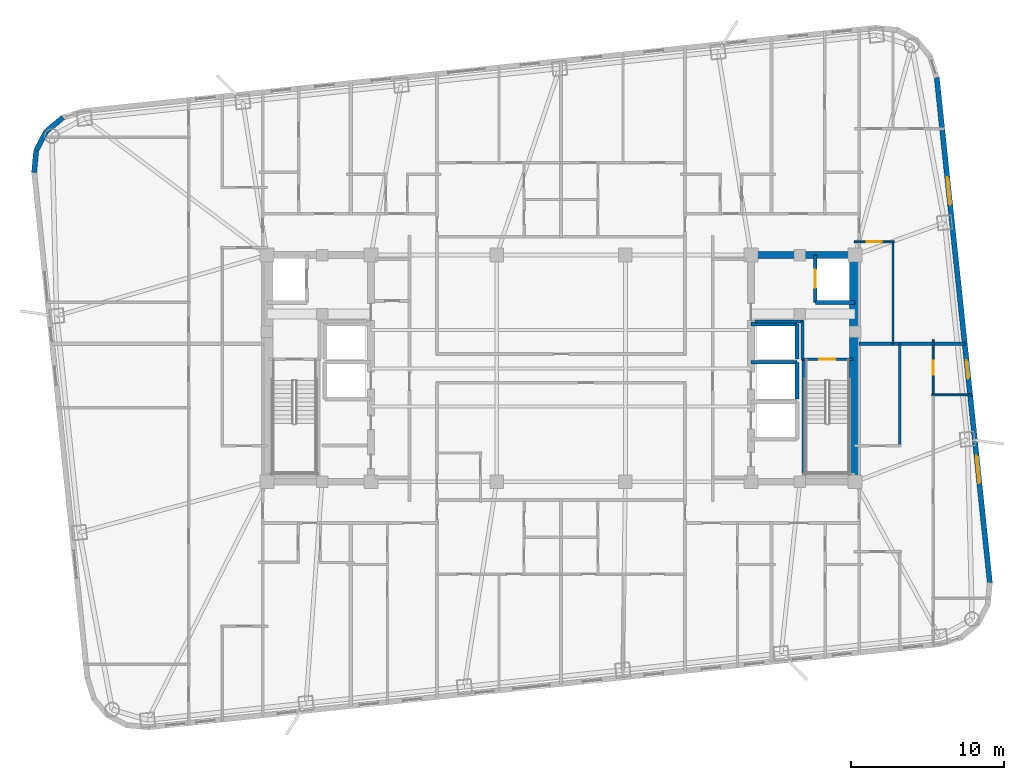
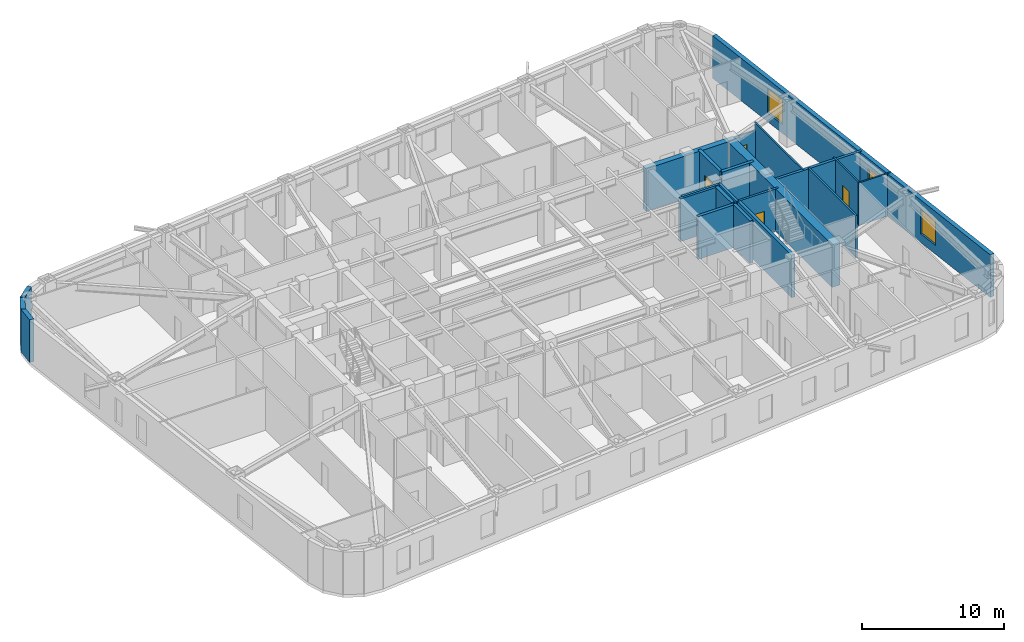
# One storey, part 7 of 12: 22 walls, 4 doors, 3 windows, 7 openings.
"""IFC4 building model written with IfcOpenShell, lengths in metres."""

from ifc_helpers import new_model, si_unit, direction, frame, frame_2d, origin, place, context, subcontext, project, spatial, rectangle, extrude, material, layer, layer_set, type_object, element, fill, save


model = new_model("IFC4")

# Units and contexts
model_context = context("Model", 3, precision=1e-05, world=origin(), true_north=direction((0.0, 1.0)))
body_context = subcontext(model_context, "Body", "Model", "MODEL_VIEW")
ifc_project = project(units=[si_unit("LENGTHUNIT", "METRE"), si_unit("AREAUNIT", "SQUARE_METRE"), si_unit("VOLUMEUNIT", "CUBIC_METRE"), si_unit("PLANEANGLEUNIT", "RADIAN"), si_unit("MASSUNIT", "GRAM", prefix="KILO")], contexts=[model_context])

# Site, building, storey
site_placement = place(None, origin())
site = spatial("IfcSite", under=ifc_project, at=site_placement, CompositionType="ELEMENT")
building_placement = place(site_placement, origin())
building = spatial("IfcBuilding", under=site, at=building_placement, Name="Voryun Gate Residences", CompositionType="ELEMENT")
storey_placement = place(building_placement, frame((0.0, 0.0, 167.699951171875)))
storey = spatial("IfcBuildingStorey", under=building, at=storey_placement, Name="L41", CompositionType="ELEMENT", Elevation=167.699951171875)

# Walls
ifc_material_1 = material(Name="Concrete C50/60", Category="concrete")
ifc_layer_1 = layer(ifc_material_1, 0.449951171875, Name="CW_CORE_450")
ifc_layer_set_1 = layer_set([ifc_layer_1], Name="Concrete C50/60")
wall_type_1 = type_object("IfcWallType", Name="CW_CORE_450", PredefinedType="SHEAR", material=ifc_layer_set_1)
wall_1_placement = place(storey_placement, frame((12.175048828125, 7.39990234375, 0.0), z_axis=(0.0, 0.0, 1.0), x_axis=(1.0, 0.0, 0.0)))
element("IfcWall", 1, at=wall_1_placement, inside=storey, type_object=wall_type_1, Name="L41 Core shear wall CW-L41-EN", PredefinedType="SHEAR", context=body_context, shape_type="SweptSolid", body=[
    extrude(rectangle(XDim=7.25, YDim=0.449951171875, at=frame_2d((3.625, 0.0))), origin(), (0.0, 0.0, 1.0), 3.650146484375),
])
ifc_material_2 = material(Name="Concrete C60/75", Category="concrete")
ifc_layer_2 = layer(ifc_material_2, 0.64990234375, Name="CW_CORE_650")
ifc_layer_set_2 = layer_set([ifc_layer_2], Name="Concrete C60/75")
wall_type_2 = type_object("IfcWallType", Name="CW_CORE_650", PredefinedType="SHEAR", material=ifc_layer_set_2)
wall_2_placement = place(storey_placement, frame((19.14501953125, -7.39990234375, 0.0), z_axis=(0.0, 0.0, 1.0), x_axis=(0.0, 1.0, 0.0)))
element("IfcWall", 2, at=wall_2_placement, inside=storey, type_object=wall_type_2, Name="L41 Core shear wall CW-L41-EE", PredefinedType="SHEAR", context=body_context, shape_type="SweptSolid", body=[
    extrude(rectangle(XDim=14.7998046875, YDim=0.64990234375, at=frame_2d((7.39990234375, 0.0))), origin(), (0.0, 0.0, 1.0), 3.650146484375),
])

# Wall, opening, door
ifc_material_3 = material(Name="Gypsum acoustic fireboard")
ifc_layer_3 = layer(ifc_material_3, 0.179931640625, Name="W_CORR_RATED_180")
ifc_layer_set_3 = layer_set([ifc_layer_3], Name="Gypsum acoustic fireboard")
wall_type_3 = type_object("IfcWallType", Name="W_CORR_RATED_180", PredefinedType="PARTITIONING", material=ifc_layer_set_3)
wall_3_placement = place(storey_placement, frame((15.699951171875, 0.60009765625, 0.0), z_axis=(0.0, 0.0, 1.0), x_axis=(1.0, 0.0, 0.0)))
wall_3 = element("IfcWall", 3, at=wall_3_placement, inside=storey, type_object=wall_type_3, Name="Partition wall WP-L41-STV-E", PredefinedType="PARTITIONING", context=body_context, shape_type="SweptSolid", body=[
    extrude(rectangle(XDim=3.360107421875, YDim=0.179931640625, at=frame_2d((1.68017578125, 0.0))), origin(), (0.0, 0.0, 1.0), 3.650146484375),
])
opening_1_placement = place(wall_3_placement, frame((1.155029296875, 0.0, 0.0)))
opening_1 = element("IfcOpeningElement", 4, at=opening_1_placement, cuts=wall_3, Name="Opening D-FD60-1", PredefinedType="OPENING", context=body_context, shape_type="SweptSolid", body=[
    extrude(rectangle(XDim=1.050048828125, YDim=2.050048828125, at=frame_2d((0.52490234375, 1.02490234375))), frame((0.0, 0.099853515625, 0.0), z_axis=(0.0, -1.0, 0.0), x_axis=(1.0, 0.0, 0.0)), (0.0, 0.0, 1.0), 0.199951171875),
])
ifc_material_4 = material(Name="Painted steel fire door", Category="steel")
door_type_1 = type_object("IfcDoorType", Name="DR_FD60_STAIR_1050", OperationType="NOTDEFINED", PredefinedType="DOOR", material=ifc_material_4)
door_1_placement = place(opening_1_placement, origin())
door_1 = element("IfcDoor", 5, at=door_1_placement, inside=storey, type_object=door_type_1, Name="Door DR-L41-ST-E", OperationType="SINGLE_SWING_RIGHT", OverallHeight=2.050048828125, OverallWidth=1.050048828125, PredefinedType="DOOR", context=body_context, shape_type="SweptSolid", body=[
    extrude(rectangle(XDim=1.050048828125, YDim=2.050048828125, at=frame_2d((0.52490234375, 1.02490234375))), frame((0.0, 0.02490234375, 0.0), z_axis=(0.0, -1.0, 0.0), x_axis=(1.0, 0.0, 0.0)), (0.0, 0.0, 1.0), 0.050048828125),
])
fill(opening_1, door_1)

# Walls
ifc_material_5 = material(Name="Charcoal terracotta masonry", Category="masonry")
ifc_layer_4 = layer(ifc_material_5, 0.340087890625, Name="W_EXT_TERRACOTTA_340")
ifc_layer_set_4 = layer_set([ifc_layer_4], Name="Charcoal terracotta masonry")
wall_type_4 = type_object("IfcWallType", Name="W_EXT_TERRACOTTA_340", PredefinedType="ELEMENTEDWALL", material=ifc_layer_set_4)
wall_4_placement = place(storey_placement, frame((-34.401123046875, 12.795166015625, 0.0), z_axis=(0.0, 0.0, 1.0), x_axis=(0.091534682358, 0.995801888894, 0.0)))
element("IfcWall", 6, at=wall_4_placement, inside=storey, type_object=wall_type_4, Name="Exterior wall WEXT-L41-07", PredefinedType="ELEMENTEDWALL", context=body_context, shape_type="SweptSolid", body=[
    extrude(rectangle(XDim=1.432373046875, YDim=0.340087890625, at=frame_2d((0.71630859375, 0.0))), origin(), (0.0, 0.0, 1.0), 3.650146484375),
])
for number, where, z_axis, x_axis, name in (
    (7, (-34.27001953125, 14.221435546875, 0.0), (0.0, 0.0, 1.0), (0.465682431293, 0.884951904447, 0.0), "Exterior wall WEXT-L41-08"),
    (8, (-33.611083984375, 15.4736328125, 0.0), (0.0, 0.0, 1.0), (0.768843196093, 0.639437361921, 0.0), "Exterior wall WEXT-L41-09"),
):
    element("IfcWall", number, at=place(storey_placement, frame(where, z_axis=z_axis, x_axis=x_axis)), inside=storey, type_object=wall_type_4, Name=name, PredefinedType="ELEMENTEDWALL", context=body_context, shape_type="SweptSolid", body=[
        extrude(rectangle(XDim=1.4150390625, YDim=0.340087890625, at=frame_2d((0.70751953125, 0.0))), origin(), (0.0, 0.0, 1.0), 3.650146484375),
    ])

# Wall, openings, windows
wall_5_placement = place(storey_placement, frame((24.5341796875, 18.989501953125, 0.0), z_axis=(0.0, 0.0, 1.0), x_axis=(0.104534959766, -0.994521212537, 0.0)))
wall_5 = element("IfcWall", 9, at=wall_5_placement, inside=storey, type_object=wall_type_4, Name="Exterior wall WEXT-L41-16", PredefinedType="ELEMENTEDWALL", context=body_context, shape_type="SweptSolid", body=[
    extrude(rectangle(XDim=33.166259765625, YDim=0.340087890625, at=frame_2d((16.5830078125, 0.0))), origin(), (0.0, 0.0, 1.0), 3.650146484375),
])
opening_2_placement = place(wall_5_placement, frame((6.54150390625, 0.0, 0.75)))
opening_2 = element("IfcOpeningElement", 10, at=opening_2_placement, cuts=wall_5, Name="Opening WN1", PredefinedType="OPENING", context=body_context, shape_type="SweptSolid", body=[
    extrude(rectangle(XDim=1.800048828125, YDim=2.10009765625, at=frame_2d((0.89990234375, 1.050048828125))), frame((0.0, 0.179931640625, 0.0), z_axis=(0.0, -1.0, 0.0), x_axis=(1.0, 0.0, 0.0)), (0.0, 0.0, 1.0), 0.360107421875),
])
opening_3_placement = place(wall_5_placement, frame((24.824951171875, 0.0, 0.75)))
opening_3 = element("IfcOpeningElement", 11, at=opening_3_placement, cuts=wall_5, Name="Opening WN1", PredefinedType="OPENING", context=body_context, shape_type="SweptSolid", body=[
    extrude(rectangle(XDim=1.800048828125, YDim=2.10009765625, at=frame_2d((0.89990234375, 1.050048828125))), frame((0.0, 0.179931640625, 0.0), z_axis=(0.0, -1.0, 0.0), x_axis=(1.0, 0.0, 0.0)), (0.0, 0.0, 1.0), 0.360107421875),
])
opening_4_placement = place(wall_5_placement, frame((18.557373046875, 0.0, 0.75)))
opening_4 = element("IfcOpeningElement", 12, at=opening_4_placement, cuts=wall_5, Name="Opening WN6", PredefinedType="OPENING", context=body_context, shape_type="SweptSolid", body=[
    extrude(rectangle(XDim=1.199951171875, YDim=2.050048828125, at=frame_2d((0.60009765625, 1.02490234375))), frame((0.0, 0.179931640625, 0.0), z_axis=(0.0, -1.0, 0.0), x_axis=(1.0, 0.0, 0.0)), (0.0, 0.0, 1.0), 0.360107421875),
])
ifc_material_6 = material(Name="Laminated low-E glass", Category="glass")
window_type_1 = type_object("IfcWindowType", Name="WN_POD_SLOT_1200", PartitioningType="SINGLE_PANEL", PredefinedType="WINDOW", material=ifc_material_6)
window_1_placement = place(opening_4_placement, origin())
window_1 = element("IfcWindow", 13, at=window_1_placement, inside=storey, type_object=window_type_1, Name="Window WN-L41-DWFIX-27", OverallHeight=2.050048828125, OverallWidth=1.199951171875, PartitioningType="SINGLE_PANEL", PredefinedType="WINDOW", context=body_context, shape_type="SweptSolid", body=[
    extrude(rectangle(XDim=1.199951171875, YDim=2.050048828125, at=frame_2d((0.60009765625, 1.02490234375))), frame((0.0, 0.030029296875, 0.0), z_axis=(0.0, -1.0, 0.0), x_axis=(1.0, 0.0, 0.0)), (0.0, 0.0, 1.0), 0.06005859375),
])
fill(opening_4, window_1)
ifc_material_7 = material(Name="Laminated low-E glass", Category="glass")
window_type_2 = type_object("IfcWindowType", Name="WN_RES_PUNCH_1800", PartitioningType="SINGLE_PANEL", PredefinedType="WINDOW", material=ifc_material_7)
window_2_placement = place(opening_2_placement, origin())
window_2 = element("IfcWindow", 14, at=window_2_placement, inside=storey, type_object=window_type_2, Name="Window WN-WEXT-L41-16-01", OverallHeight=2.10009765625, OverallWidth=1.800048828125, PartitioningType="SINGLE_PANEL", PredefinedType="WINDOW", context=body_context, shape_type="SweptSolid", body=[
    extrude(rectangle(XDim=1.800048828125, YDim=2.10009765625, at=frame_2d((0.89990234375, 1.050048828125))), frame((0.0, 0.030029296875, 0.0), z_axis=(0.0, -1.0, 0.0), x_axis=(1.0, 0.0, 0.0)), (0.0, 0.0, 1.0), 0.06005859375),
])
fill(opening_2, window_2)
window_3_placement = place(opening_3_placement, origin())
window_3 = element("IfcWindow", 15, at=window_3_placement, inside=storey, type_object=window_type_2, Name="Window WN-WEXT-L41-16-02", OverallHeight=2.10009765625, OverallWidth=1.800048828125, PartitioningType="SINGLE_PANEL", PredefinedType="WINDOW", context=body_context, shape_type="SweptSolid", body=[
    extrude(rectangle(XDim=1.800048828125, YDim=2.10009765625, at=frame_2d((0.89990234375, 1.050048828125))), frame((0.0, 0.030029296875, 0.0), z_axis=(0.0, -1.0, 0.0), x_axis=(1.0, 0.0, 0.0)), (0.0, 0.0, 1.0), 0.06005859375),
])
fill(opening_3, window_3)

# Walls
ifc_material_8 = material(Name="Concrete C40/50", Category="concrete")
ifc_layer_5 = layer(ifc_material_8, 0.199951171875, Name="W_FF_LOBBY_200")
ifc_layer_set_5 = layer_set([ifc_layer_5], Name="Concrete C40/50")
wall_type_5 = type_object("IfcWallType", Name="W_FF_LOBBY_200", PredefinedType="PARTITIONING", material=ifc_layer_set_5)
wall_6_placement = place(storey_placement, frame((15.760009765625, 0.580078125, 0.0), z_axis=(0.0, 0.0, 1.0), x_axis=(0.0, 1.0, 0.0)))
element("IfcWall", 16, at=wall_6_placement, inside=storey, type_object=wall_type_5, Name="Partition wall WP-L41-FFP0-E", PredefinedType="PARTITIONING", context=body_context, shape_type="SweptSolid", body=[
    extrude(rectangle(XDim=2.52001953125, YDim=0.199951171875, at=frame_2d((1.260009765625, 0.0))), origin(), (0.0, 0.0, 1.0), 3.650146484375),
])
wall_7_placement = place(storey_placement, frame((12.659912109375, 3.06005859375, 0.0), z_axis=(0.0, 0.0, 1.0), x_axis=(1.0, 0.0, 0.0)))
element("IfcWall", 17, at=wall_7_placement, inside=storey, type_object=wall_type_5, Name="Partition wall WP-L41-FFPS-E", PredefinedType="PARTITIONING", context=body_context, shape_type="SweptSolid", body=[
    extrude(rectangle(XDim=3.16015625, YDim=0.199951171875, at=frame_2d((1.580078125, 0.0))), origin(), (0.0, 0.0, 1.0), 3.650146484375),
])
ifc_material_9 = material(Name="Concrete C40/50", Category="concrete")
ifc_layer_6 = layer(ifc_material_9, 0.219970703125, Name="W_PARTY_ACOUSTIC_220")
ifc_layer_set_6 = layer_set([ifc_layer_6], Name="Concrete C40/50")
wall_type_6 = type_object("IfcWallType", Name="W_PARTY_ACOUSTIC_220", PredefinedType="PARTITIONING", material=ifc_layer_set_6)
wall_8_placement = place(storey_placement, frame((19.469970703125, 1.60009765625, 0.0), z_axis=(0.0, 0.0, 1.0), x_axis=(1.0, 0.0, 0.0)))
element("IfcWall", 18, at=wall_8_placement, inside=storey, type_object=wall_type_6, Name="Partition wall WP-L41-EPTY", PredefinedType="PARTITIONING", context=body_context, shape_type="SweptSolid", body=[
    extrude(rectangle(XDim=6.89208984375, YDim=0.219970703125, at=frame_2d((3.446044921875, 0.0))), origin(), (0.0, 0.0, 1.0), 3.650146484375),
])
ifc_material_10 = material(Name="Concrete C50/60", Category="concrete")
ifc_layer_7 = layer(ifc_material_10, 0.25, Name="W_SHAFT_RC250")
ifc_layer_set_7 = layer_set([ifc_layer_7], Name="Concrete C50/60")
wall_type_7 = type_object("IfcWallType", Name="W_SHAFT_RC250", PredefinedType="SOLIDWALL", material=ifc_layer_set_7)
wall_9_placement = place(storey_placement, frame((15.860107421875, -7.0849609375, 0.0), z_axis=(0.0, 0.0, 1.0), x_axis=(0.0, 1.0, 0.0)))
element("IfcWall", 19, at=wall_9_placement, inside=storey, type_object=wall_type_7, Name="L41 Stair shaft structural wall E-STL", PredefinedType="SOLIDWALL", context=body_context, shape_type="SweptSolid", body=[
    extrude(rectangle(XDim=7.68505859375, YDim=0.25, at=frame_2d((3.842529296875, 0.0))), origin(), (0.0, 0.0, 1.0), 3.650146484375),
])
wall_10_placement = place(storey_placement, frame((16.60009765625, 4.300048828125, 0.0), z_axis=(0.0, 0.0, 1.0), x_axis=(1.0, 0.0, 0.0)))
element("IfcWall", 20, at=wall_10_placement, inside=storey, type_object=wall_type_7, Name="Lift shaft wall WSH-L41-EL-FF-E1-S", PredefinedType="SOLIDWALL", context=body_context, shape_type="SweptSolid", body=[
    extrude(rectangle(XDim=2.599853515625, YDim=0.25, at=frame_2d((1.2998046875, 0.0))), origin(), (0.0, 0.0, 1.0), 3.650146484375),
])

# Wall, opening, door
wall_11_placement = place(storey_placement, frame((16.60009765625, 7.39990234375, 0.0), z_axis=(0.0, 0.0, 1.0), x_axis=(0.0, -1.0, 0.0)))
wall_11 = element("IfcWall", 21, at=wall_11_placement, inside=storey, type_object=wall_type_7, Name="Lift shaft wall WSH-L41-EL-FF-E1-W", PredefinedType="SOLIDWALL", context=body_context, shape_type="SweptSolid", body=[
    extrude(rectangle(XDim=3.099853515625, YDim=0.25, at=frame_2d((1.5498046875, 0.0))), origin(), (0.0, 0.0, 1.0), 3.650146484375),
])
opening_5_placement = place(wall_11_placement, frame((0.949951171875, 0.0, 0.0)))
opening_5 = element("IfcOpeningElement", 22, at=opening_5_placement, cuts=wall_11, Name="Opening LD1", PredefinedType="OPENING", context=body_context, shape_type="SweptSolid", body=[
    extrude(rectangle(XDim=1.199951171875, YDim=2.050048828125, at=frame_2d((0.60009765625, 1.02490234375))), frame((0.0, 0.135009765625, 0.0), z_axis=(0.0, -1.0, 0.0), x_axis=(1.0, 0.0, 0.0)), (0.0, 0.0, 1.0), 0.27001953125),
])
ifc_material_11 = material(Name="Anodised aluminium", Category="aluminium")
door_type_2 = type_object("IfcDoorType", Name="DR_LD_FF_1200", OperationType="NOTDEFINED", PredefinedType="DOOR", material=ifc_material_11)
door_2_placement = place(opening_5_placement, origin())
door_2 = element("IfcDoor", 23, at=door_2_placement, inside=storey, type_object=door_type_2, Name="Lift EL-FF-E1 sliding landing door L41", OperationType="SLIDING_TO_LEFT", OverallHeight=2.050048828125, OverallWidth=1.199951171875, PredefinedType="DOOR", context=body_context, shape_type="SweptSolid", body=[
    extrude(rectangle(XDim=1.199951171875, YDim=2.050048828125, at=frame_2d((0.60009765625, 1.02490234375))), frame((0.0, 0.02490234375, 0.0), z_axis=(0.0, -1.0, 0.0), x_axis=(1.0, 0.0, 0.0)), (0.0, 0.0, 1.0), 0.050048828125),
])
fill(opening_5, door_2)

# Walls
wall_12_placement = place(storey_placement, frame((15.39990234375, -2.0, 0.0), z_axis=(0.0, 0.0, 1.0), x_axis=(0.0, 1.0, 0.0)))
element("IfcWall", 24, at=wall_12_placement, inside=storey, type_object=wall_type_7, Name="Lift shaft wall WSH-L41-EL-P6-E", PredefinedType="SOLIDWALL", context=body_context, shape_type="SweptSolid", body=[
    extrude(rectangle(XDim=2.39990234375, YDim=0.25, at=frame_2d((1.199951171875, 0.0))), origin(), (0.0, 0.0, 1.0), 3.650146484375),
])
wall_13_placement = place(storey_placement, frame((15.39990234375, 0.39990234375, 0.0), z_axis=(0.0, 0.0, 1.0), x_axis=(-1.0, 0.0, 0.0)))
element("IfcWall", 25, at=wall_13_placement, inside=storey, type_object=wall_type_7, Name="Lift shaft wall WSH-L41-EL-P6-N", PredefinedType="SOLIDWALL", context=body_context, shape_type="SweptSolid", body=[
    extrude(rectangle(XDim=3.0, YDim=0.25, at=frame_2d((1.5, 0.0))), origin(), (0.0, 0.0, 1.0), 3.650146484375),
])
wall_14_placement = place(storey_placement, frame((15.39990234375, 0.60009765625, 0.0), z_axis=(0.0, 0.0, 1.0), x_axis=(0.0, 1.0, 0.0)))
element("IfcWall", 26, at=wall_14_placement, inside=storey, type_object=wall_type_7, Name="Lift shaft wall WSH-L41-EL-P8-E", PredefinedType="SOLIDWALL", context=body_context, shape_type="SweptSolid", body=[
    extrude(rectangle(XDim=2.2998046875, YDim=0.25, at=frame_2d((1.14990234375, 0.0))), origin(), (0.0, 0.0, 1.0), 3.650146484375),
])
wall_15_placement = place(storey_placement, frame((15.39990234375, 2.89990234375, 0.0), z_axis=(0.0, 0.0, 1.0), x_axis=(-1.0, 0.0, 0.0)))
element("IfcWall", 27, at=wall_15_placement, inside=storey, type_object=wall_type_7, Name="Lift shaft wall WSH-L41-EL-P8-N", PredefinedType="SOLIDWALL", context=body_context, shape_type="SweptSolid", body=[
    extrude(rectangle(XDim=3.0, YDim=0.25, at=frame_2d((1.5, 0.0))), origin(), (0.0, 0.0, 1.0), 3.650146484375),
])
ifc_material_12 = material(Name="Gypsum acoustic partition")
ifc_layer_8 = layer(ifc_material_12, 0.125, Name="W_UNIT_PART_125")
ifc_layer_set_8 = layer_set([ifc_layer_8], Name="Gypsum acoustic partition")
wall_type_8 = type_object("IfcWallType", Name="W_UNIT_PART_125", PredefinedType="PARTITIONING", material=ifc_layer_set_8)
wall_16_placement = place(storey_placement, frame((24.219970703125, -1.72998046875, 0.0), z_axis=(0.0, 0.0, 1.0), x_axis=(1.0, 0.0, 0.0)))
element("IfcWall", 28, at=wall_16_placement, inside=storey, type_object=wall_type_8, Name="Partition wall WP-L41-E1-OH2", PredefinedType="PARTITIONING", context=body_context, shape_type="SweptSolid", body=[
    extrude(rectangle(XDim=2.642822265625, YDim=0.125, at=frame_2d((1.3212890625, 0.0))), origin(), (0.0, 0.0, 1.0), 3.650146484375),
])

# Wall, opening, door
wall_17_placement = place(storey_placement, frame((24.300048828125, -1.780029296875, 0.0), z_axis=(0.0, 0.0, 1.0), x_axis=(0.0, 1.0, 0.0)))
wall_17 = element("IfcWall", 29, at=wall_17_placement, inside=storey, type_object=wall_type_8, Name="Partition wall WP-L41-E1-OVX3", PredefinedType="PARTITIONING", context=body_context, shape_type="SweptSolid", body=[
    extrude(rectangle(XDim=3.64013671875, YDim=0.125, at=frame_2d((1.820068359375, 0.0))), origin(), (0.0, 0.0, 1.0), 3.650146484375),
])
opening_6_placement = place(wall_17_placement, frame((1.3701171875, 0.0, 0.0)))
opening_6 = element("IfcOpeningElement", 30, at=opening_6_placement, cuts=wall_17, Name="Opening D-INT-2", PredefinedType="OPENING", context=body_context, shape_type="SweptSolid", body=[
    extrude(rectangle(XDim=0.89990234375, YDim=2.050048828125, at=frame_2d((0.449951171875, 1.02490234375))), frame((0.0, 0.072509765625, 0.0), z_axis=(0.0, -1.0, 0.0), x_axis=(1.0, 0.0, 0.0)), (0.0, 0.0, 1.0), 0.14501953125),
])
ifc_material_13 = material(Name="Architectural oak veneer")
door_type_3 = type_object("IfcDoorType", Name="DR_INT_BATH_900", OperationType="NOTDEFINED", PredefinedType="DOOR", material=ifc_material_13)
door_3_placement = place(opening_6_placement, origin())
door_3 = element("IfcDoor", 31, at=door_3_placement, inside=storey, type_object=door_type_3, Name="Door DR-L41-E1-DMB", OperationType="SINGLE_SWING_LEFT", OverallHeight=2.050048828125, OverallWidth=0.89990234375, PredefinedType="DOOR", context=body_context, shape_type="SweptSolid", body=[
    extrude(rectangle(XDim=0.89990234375, YDim=2.050048828125, at=frame_2d((0.449951171875, 1.02490234375))), frame((0.0, 0.02490234375, 0.0), z_axis=(0.0, -1.0, 0.0), x_axis=(1.0, 0.0, 0.0)), (0.0, 0.0, 1.0), 0.050048828125),
])
fill(opening_6, door_3)

wall_18_placement = place(storey_placement, frame((19.14990234375, 8.260009765625, 0.0), z_axis=(0.0, 0.0, 1.0), x_axis=(1.0, 0.0, 0.0)))
wall_18 = element("IfcWall", 32, at=wall_18_placement, inside=storey, type_object=wall_type_8, Name="Partition wall WP-L41-E2-IKA", PredefinedType="PARTITIONING", context=body_context, shape_type="SweptSolid", body=[
    extrude(rectangle(XDim=2.606201171875, YDim=0.125, at=frame_2d((1.30322265625, 0.0))), origin(), (0.0, 0.0, 1.0), 3.0400390625),
])
opening_7_placement = place(wall_18_placement, frame((0.827880859375, 0.0, 0.0)))
opening_7 = element("IfcOpeningElement", 33, at=opening_7_placement, cuts=wall_18, Name="Opening D-INT-1", PredefinedType="OPENING", context=body_context, shape_type="SweptSolid", body=[
    extrude(rectangle(XDim=0.949951171875, YDim=2.050048828125, at=frame_2d((0.47509765625, 1.02490234375))), frame((0.0, 0.072509765625, 0.0), z_axis=(0.0, -1.0, 0.0), x_axis=(1.0, 0.0, 0.0)), (0.0, 0.0, 1.0), 0.14501953125),
])
ifc_material_14 = material(Name="Architectural oak veneer")
door_type_4 = type_object("IfcDoorType", Name="DR_INT_ROOM_950", OperationType="NOTDEFINED", PredefinedType="DOOR", material=ifc_material_14)
door_4_placement = place(opening_7_placement, origin())
door_4 = element("IfcDoor", 34, at=door_4_placement, inside=storey, type_object=door_type_4, Name="Door DR-L41-E2-DK", OperationType="SINGLE_SWING_LEFT", OverallHeight=2.050048828125, OverallWidth=0.949951171875, PredefinedType="DOOR", context=body_context, shape_type="SweptSolid", body=[
    extrude(rectangle(XDim=0.949951171875, YDim=2.050048828125, at=frame_2d((0.47509765625, 1.02490234375))), frame((0.0, 0.02490234375, 0.0), z_axis=(0.0, -1.0, 0.0), x_axis=(1.0, 0.0, 0.0)), (0.0, 0.0, 1.0), 0.050048828125),
])
fill(opening_7, door_4)

# Walls
wall_19_placement = place(storey_placement, frame((21.676025390625, 1.6201171875, 0.0), z_axis=(0.0, 0.0, 1.0), x_axis=(0.0, 1.0, 0.0)))
element("IfcWall", 35, at=wall_19_placement, inside=storey, type_object=wall_type_8, Name="Partition wall WP-L41-E2-VTA", PredefinedType="PARTITIONING", context=body_context, shape_type="SweptSolid", body=[
    extrude(rectangle(XDim=6.719970703125, YDim=0.125, at=frame_2d((3.35986328125, 0.0))), origin(), (0.0, 0.0, 1.0), 3.650146484375),
])
ifc_material_15 = material(Name="Gypsum moisture-resistant partition")
ifc_layer_9 = layer(ifc_material_15, 0.14990234375, Name="W_WET_PLUMB_150")
ifc_layer_set_9 = layer_set([ifc_layer_9], Name="Gypsum moisture-resistant partition")
wall_type_9 = type_object("IfcWallType", Name="W_WET_PLUMB_150", PredefinedType="PLUMBINGWALL", material=ifc_layer_set_9)
wall_20_placement = place(storey_placement, frame((22.1201171875, -5.139892578125, 0.0), z_axis=(0.0, 0.0, 1.0), x_axis=(0.0, 1.0, 0.0)))
element("IfcWall", 36, at=wall_20_placement, inside=storey, type_object=wall_type_9, Name="Partition wall WP-L41-E1-VTB", PredefinedType="PLUMBINGWALL", context=body_context, shape_type="SweptSolid", body=[
    extrude(rectangle(XDim=6.719970703125, YDim=0.14990234375, at=frame_2d((3.35986328125, 0.0))), origin(), (0.0, 0.0, 1.0), 3.650146484375),
])

save(model, "model.ifc")
